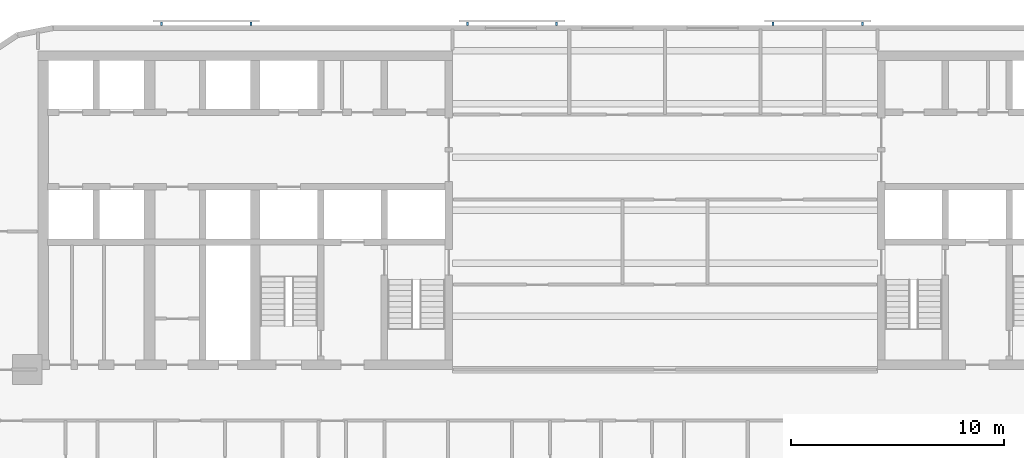
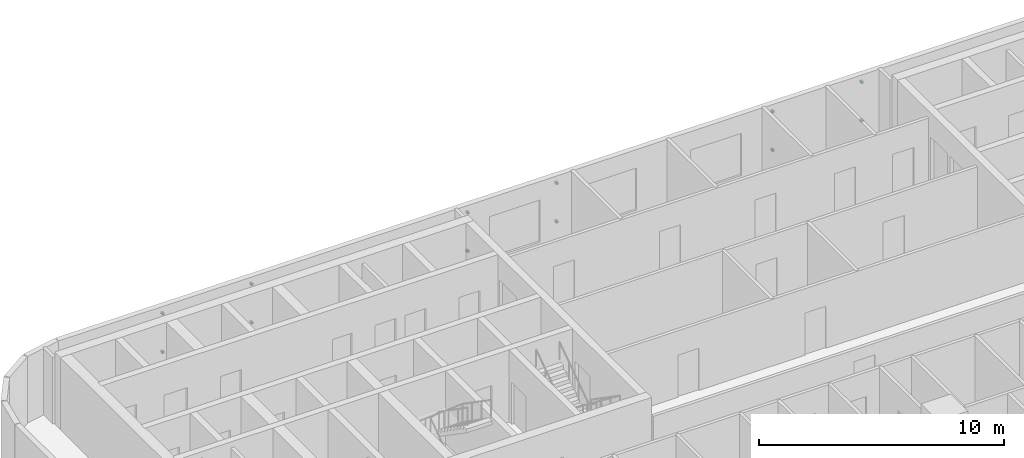
# One storey, part 10 of 14: 12 discrete accessories.
"""IFC4 building model written with IfcOpenShell, lengths in metres."""

import ifcopenshell
import ifcopenshell.guid

model = None  # the IFC model being written
_history = None  # IfcOwnerHistory: only IFC2X3 demands one
_inside = {}  # id of a spatial element -> (the spatial element, [elements in it])
_under = {}  # id of a project, library or spatial element -> (it, [spatial elements below it])
_declared = {}  # id of a project -> (the project, [libraries it declares])
_typed = {}  # id of a type object -> (the type object, [elements of that type])
_made_of = {}  # id of a material, layer set ... -> (it, [elements and type objects made of it])


def new_model(schema):
    """Start an empty IFC model of exactly this schema.

    Asked for "IFC4X3", IfcOpenShell would pick the latest addendum, in which some entities
    have other attributes; the version numbers below select the first issue.
    IFC2X3 requires an IfcOwnerHistory on every rooted entity: one is made here for all.
    """
    global model, _history
    if schema == "IFC4X3":
        model = ifcopenshell.file(schema_version=(4, 3, 0, 0))
    else:
        model = ifcopenshell.file(schema=schema)
    _inside.clear()
    _under.clear()
    _declared.clear()
    _typed.clear()
    _made_of.clear()
    _history = None
    if model.schema == "IFC2X3":
        org = make("IfcOrganization", Name="unknown")
        user = make(
            "IfcPersonAndOrganization",
            ThePerson=make("IfcPerson", FamilyName="unknown"),
            TheOrganization=org,
        )
        app = make(
            "IfcApplication",
            ApplicationDeveloper=org,
            Version="unknown",
            ApplicationFullName="unknown",
            ApplicationIdentifier="unknown",
        )
        _history = make(
            "IfcOwnerHistory",
            OwningUser=user,
            OwningApplication=app,
            ChangeAction="ADDED",
            CreationDate=0,
        )
    return model


def make(cls, **values):
    """One entity of the class cls with the attributes given. An attribute that is None is left unset."""
    return model.create_entity(
        cls, **{name: value for name, value in values.items() if value is not None}
    )


def rooted(cls, **values):
    """An entity with a GlobalId (a new one), such as an element, a storey or a relation."""
    return make(cls, GlobalId=ifcopenshell.guid.new(), OwnerHistory=_history, **values)


def si_unit(unit_type, name, prefix=None):
    """IfcSIUnit, for example si_unit("LENGTHUNIT", "METRE", prefix="MILLI")."""
    return make("IfcSIUnit", UnitType=unit_type, Prefix=prefix, Name=name)


def assignment(units):
    """IfcUnitAssignment: the units of a project."""
    return None if units is None else make("IfcUnitAssignment", Units=units)


def point(xyz):
    """IfcCartesianPoint."""
    return None if xyz is None else make("IfcCartesianPoint", Coordinates=xyz)


def direction(xyz):
    """IfcDirection."""
    return None if xyz is None else make("IfcDirection", DirectionRatios=xyz)


def frame(location, z_axis=None, x_axis=None):
    """IfcAxis2Placement3D, a coordinate frame: its origin and axes. An axis left out is left unset."""
    return make(
        "IfcAxis2Placement3D",
        Location=point(location),
        Axis=direction(z_axis),
        RefDirection=direction(x_axis),
    )


def frame_2d(location, x_axis=None):
    """IfcAxis2Placement2D, a coordinate frame in the plane: its origin and x axis."""
    return make(
        "IfcAxis2Placement2D", Location=point(location), RefDirection=direction(x_axis)
    )


def origin():
    """The frame at (0, 0, 0) with its axes left unset."""
    return frame((0.0, 0.0, 0.0))


def origin_2d():
    """The frame at (0, 0) in the plane with its x axis left unset."""
    return frame_2d((0.0, 0.0))


def place(relative_to, where):
    """IfcLocalPlacement: puts the frame where relative to a parent placement (None: the world)."""
    return make(
        "IfcLocalPlacement", PlacementRelTo=relative_to, RelativePlacement=where
    )


def context(
    kind, dimensions, precision=None, world=None, true_north=None, identifier=None
):
    """IfcGeometricRepresentationContext, for example the 3D "Model" context."""
    return make(
        "IfcGeometricRepresentationContext",
        ContextIdentifier=identifier,
        ContextType=kind,
        CoordinateSpaceDimension=dimensions,
        Precision=precision,
        WorldCoordinateSystem=world,
        TrueNorth=true_north,
    )


def subcontext(parent, identifier, kind, view, scale=None):
    """IfcGeometricRepresentationSubContext, for example "Body" below "Model"."""
    return make(
        "IfcGeometricRepresentationSubContext",
        ContextIdentifier=identifier,
        ContextType=kind,
        ParentContext=parent,
        TargetScale=scale,
        TargetView=view,
    )


def project(units=None, contexts=None):
    """IfcProject with its units and contexts."""
    return rooted(
        "IfcProject",
        Name="project",
        RepresentationContexts=contexts,
        UnitsInContext=assignment(units),
    )


def spatial(cls, under=None, at=None, **own):
    """A site, building, storey or space (cls), placed at a placement, below another one or the project."""
    s = rooted(cls, ObjectPlacement=at, **own)
    if under is not None:
        _under.setdefault(under.id(), (under, []))[1].append(s)
    return s


def profile(cls, at=None, kind="AREA", **sizes):
    """A parametric profile (cls). Its sizes go by their IFC names, for example OverallWidth=200.0."""
    return make(cls, ProfileType=kind, Position=at, **sizes)


def rectangle(**sizes):
    """IfcRectangleProfileDef."""
    return profile("IfcRectangleProfileDef", **sizes)


def extrude(swept, where, along, depth):
    """IfcExtrudedAreaSolid: the profile swept, set in the frame where, extruded along a direction by depth."""
    return make(
        "IfcExtrudedAreaSolid",
        SweptArea=swept,
        Position=where,
        ExtrudedDirection=direction(along),
        Depth=depth,
    )


def shape(context_of_items, identifier, shape_type, items):
    """IfcShapeRepresentation: the items that make up one representation, for example the "Body"."""
    return make(
        "IfcShapeRepresentation",
        ContextOfItems=context_of_items,
        RepresentationIdentifier=identifier,
        RepresentationType=shape_type,
        Items=items,
    )


def material(Name=None, Category=None):
    """IfcMaterial."""
    return make("IfcMaterial", Name=Name, Category=Category)


def made_of(thing, what):
    """Note that an element or type object is made of a material, layer set ...; save() writes the relation."""
    if what is not None:
        _made_of.setdefault(what.id(), (what, []))[1].append(thing)
    return thing


def type_object(cls, material=None, **own):
    """A type object (cls), such as IfcWallType, which elements share."""
    return made_of(rooted(cls, **own), material)


def element(
    cls,
    number,
    at=None,
    inside=None,
    cuts=None,
    type_object=None,
    material=None,
    context=None,
    identifier="Body",
    shape_type=None,
    held_by="IfcProductDefinitionShape",
    body=None,
    shapes=None,
    **own,
):
    """One element of the class cls, such as IfcWall. Its Tag is "e" and its number.

    at: its placement. inside: the storey or other place that contains it. cuts: it is an
    opening in that element (IfcRelVoidsElement). A single representation is given by context,
    identifier, shape_type and body (its items); several are given by shapes. held_by: the class
    of the entity that holds the representations. save() writes the other relations.
    """
    e = rooted(cls, Tag="e%d" % number, ObjectPlacement=at, **own)
    if body is not None:
        shapes = [shape(context, identifier, shape_type, body)]
    if shapes is not None:
        e.Representation = make(held_by, Representations=shapes)
    if inside is not None:
        _inside.setdefault(inside.id(), (inside, []))[1].append(e)
    if cuts is not None:
        rooted(
            "IfcRelVoidsElement", RelatingBuildingElement=cuts, RelatedOpeningElement=e
        )
    if type_object is not None:
        _typed.setdefault(type_object.id(), (type_object, []))[1].append(e)
    return made_of(e, material)


def aggregate(whole, parts):
    """IfcRelAggregates: a whole, such as a stair, and the parts it consists of."""
    return rooted("IfcRelAggregates", RelatingObject=whole, RelatedObjects=parts)


def save(model, path):
    """Write the relations noted so far, then the file.

    IfcRelAggregates (storeys below a building ...), IfcRelContainedInSpatialStructure (elements
    in a storey), IfcRelDefinesByType, IfcRelAssociatesMaterial and IfcRelDeclares: one each for
    every whole, place, type object, material and project.
    """
    for whole, parts in _under.values():
        aggregate(whole, parts)
    for where, things in _inside.values():
        rooted(
            "IfcRelContainedInSpatialStructure",
            RelatedElements=things,
            RelatingStructure=where,
        )
    for kind, things in _typed.values():
        rooted("IfcRelDefinesByType", RelatedObjects=things, RelatingType=kind)
    for what, things in _made_of.values():
        rooted("IfcRelAssociatesMaterial", RelatedObjects=things, RelatingMaterial=what)
    for by, libraries in _declared.values():
        rooted("IfcRelDeclares", RelatingContext=by, RelatedDefinitions=libraries)
    model.write(path)


model = new_model("IFC4")

# Units and contexts
model_context = context("Model", 3, precision=1e-05, world=origin(), true_north=direction((0.0, 1.0)))
body_context = subcontext(model_context, "Body", "Model", "MODEL_VIEW")
ifc_project = project(units=[si_unit("LENGTHUNIT", "METRE"), si_unit("AREAUNIT", "SQUARE_METRE"), si_unit("VOLUMEUNIT", "CUBIC_METRE"), si_unit("PLANEANGLEUNIT", "RADIAN"), si_unit("MASSUNIT", "GRAM", prefix="KILO")], contexts=[model_context])

# Site, building, storey
site_placement = place(None, origin())
site = spatial("IfcSite", under=ifc_project, at=site_placement, CompositionType="ELEMENT")
building_placement = place(site_placement, origin())
building = spatial("IfcBuilding", under=site, at=building_placement, Name="Torana Hotel and Residences", CompositionType="ELEMENT")
storey_placement = place(building_placement, frame((0.0, 0.0, 85.199951171875)))
storey = spatial("IfcBuildingStorey", under=building, at=storey_placement, Name="L21", CompositionType="ELEMENT", Elevation=85.199951171875)

# Discrete accessories
ifc_material = material(Name="Steel S355", Category="steel")
discrete_accessory_type = type_object("IfcDiscreteAccessoryType", Name="SCREEN BRACKET 100", PredefinedType="BRACKET", material=ifc_material)
for number, where, z_axis, x_axis, name in (
    (1, (9.293701171875, 1.27490234375, 0.75), (0.0, 0.0, 1.0), (-1.0, 0.0, 0.0), "Screen bracket L21"),
    (2, (9.293701171875, 1.27490234375, 2.669921875), (0.0, 0.0, 1.0), (-1.0, 0.0, 0.0), "Screen bracket L21"),
    (3, (5.09375, 1.27490234375, 0.75), (0.0, 0.0, 1.0), (-1.0, 0.0, 0.0), "Screen bracket L21"),
    (4, (5.09375, 1.27490234375, 2.669921875), (0.0, 0.0, 1.0), (-1.0, 0.0, 0.0), "Screen bracket L21"),
    (5, (-5.09375, 1.27490234375, 0.75), (0.0, 0.0, 1.0), (-1.0, 0.0, 0.0), "Screen bracket L21"),
    (6, (-5.09375, 1.27490234375, 2.669921875), (0.0, 0.0, 1.0), (-1.0, 0.0, 0.0), "Screen bracket L21"),
    (7, (-9.293701171875, 1.27490234375, 0.75), (0.0, 0.0, 1.0), (-1.0, 0.0, 0.0), "Screen bracket L21"),
    (8, (-9.293701171875, 1.27490234375, 2.669921875), (0.0, 0.0, 1.0), (-1.0, 0.0, 0.0), "Screen bracket L21"),
    (9, (-19.4814453125, 1.27490234375, 0.75), (0.0, 0.0, 1.0), (-1.0, 0.0, 0.0), "Screen bracket L21"),
    (10, (-19.4814453125, 1.27490234375, 2.669921875), (0.0, 0.0, 1.0), (-1.0, 0.0, 0.0), "Screen bracket L21"),
    (11, (-23.681396484375, 1.27490234375, 0.75), (0.0, 0.0, 1.0), (-1.0, 0.0, 0.0), "Screen bracket L21"),
    (12, (-23.681396484375, 1.27490234375, 2.669921875), (0.0, 0.0, 1.0), (-1.0, 0.0, 0.0), "Screen bracket L21"),
):
    element("IfcDiscreteAccessory", number, at=place(storey_placement, frame(where, z_axis=z_axis, x_axis=x_axis)), inside=storey, type_object=discrete_accessory_type, Name=name, PredefinedType="BRACKET", context=body_context, shape_type="SweptSolid", body=[
        extrude(rectangle(XDim=0.10009765625, YDim=0.14990234375, at=origin_2d()), origin(), (0.0, 0.0, 1.0), 0.10009765625),
    ])

save(model, "model.ifc")
